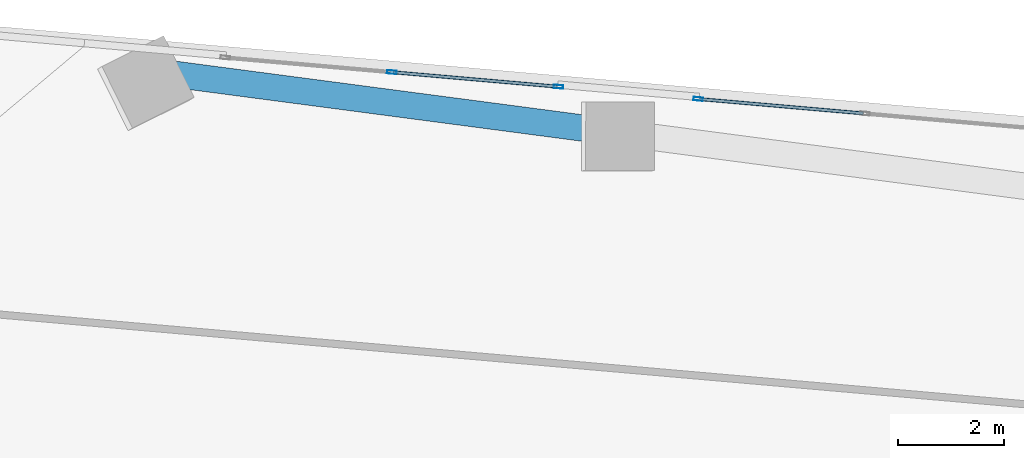
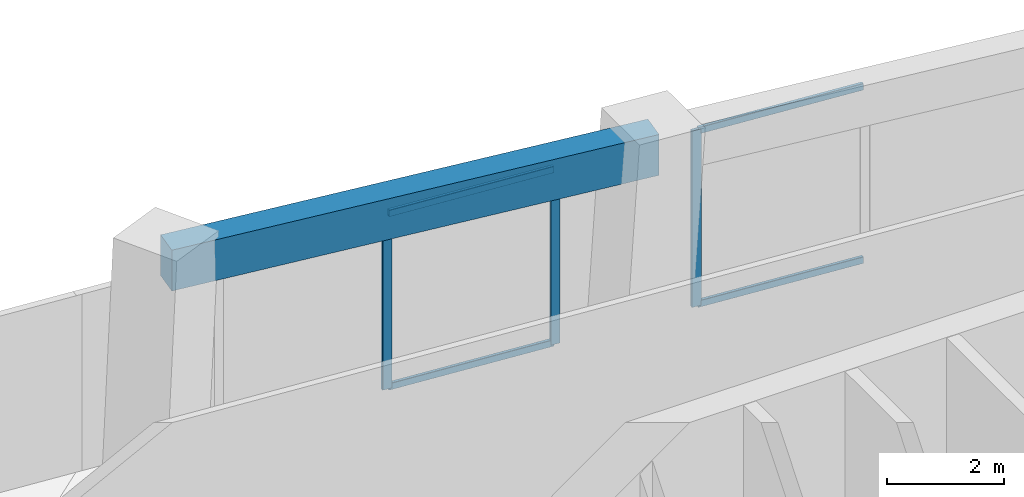
# One storey, part 15 of 23: 7 members, 1 beam, 2 elements without a shape of their own.
"""IFC4 building model written with IfcOpenShell, lengths in metres."""

import ifcopenshell
import ifcopenshell.guid

model = None  # the IFC model being written
_history = None  # IfcOwnerHistory: only IFC2X3 demands one
_inside = {}  # id of a spatial element -> (the spatial element, [elements in it])
_under = {}  # id of a project, library or spatial element -> (it, [spatial elements below it])
_declared = {}  # id of a project -> (the project, [libraries it declares])
_typed = {}  # id of a type object -> (the type object, [elements of that type])
_made_of = {}  # id of a material, layer set ... -> (it, [elements and type objects made of it])


def new_model(schema):
    """Start an empty IFC model of exactly this schema.

    Asked for "IFC4X3", IfcOpenShell would pick the latest addendum, in which some entities
    have other attributes; the version numbers below select the first issue.
    IFC2X3 requires an IfcOwnerHistory on every rooted entity: one is made here for all.
    """
    global model, _history
    if schema == "IFC4X3":
        model = ifcopenshell.file(schema_version=(4, 3, 0, 0))
    else:
        model = ifcopenshell.file(schema=schema)
    _inside.clear()
    _under.clear()
    _declared.clear()
    _typed.clear()
    _made_of.clear()
    _history = None
    if model.schema == "IFC2X3":
        org = make("IfcOrganization", Name="unknown")
        user = make(
            "IfcPersonAndOrganization",
            ThePerson=make("IfcPerson", FamilyName="unknown"),
            TheOrganization=org,
        )
        app = make(
            "IfcApplication",
            ApplicationDeveloper=org,
            Version="unknown",
            ApplicationFullName="unknown",
            ApplicationIdentifier="unknown",
        )
        _history = make(
            "IfcOwnerHistory",
            OwningUser=user,
            OwningApplication=app,
            ChangeAction="ADDED",
            CreationDate=0,
        )
    return model


def make(cls, **values):
    """One entity of the class cls with the attributes given. An attribute that is None is left unset."""
    return model.create_entity(
        cls, **{name: value for name, value in values.items() if value is not None}
    )


def rooted(cls, **values):
    """An entity with a GlobalId (a new one), such as an element, a storey or a relation."""
    return make(cls, GlobalId=ifcopenshell.guid.new(), OwnerHistory=_history, **values)


def si_unit(unit_type, name, prefix=None):
    """IfcSIUnit, for example si_unit("LENGTHUNIT", "METRE", prefix="MILLI")."""
    return make("IfcSIUnit", UnitType=unit_type, Prefix=prefix, Name=name)


def assignment(units):
    """IfcUnitAssignment: the units of a project."""
    return None if units is None else make("IfcUnitAssignment", Units=units)


def point(xyz):
    """IfcCartesianPoint."""
    return None if xyz is None else make("IfcCartesianPoint", Coordinates=xyz)


def direction(xyz):
    """IfcDirection."""
    return None if xyz is None else make("IfcDirection", DirectionRatios=xyz)


def frame(location, z_axis=None, x_axis=None):
    """IfcAxis2Placement3D, a coordinate frame: its origin and axes. An axis left out is left unset."""
    return make(
        "IfcAxis2Placement3D",
        Location=point(location),
        Axis=direction(z_axis),
        RefDirection=direction(x_axis),
    )


def frame_2d(location, x_axis=None):
    """IfcAxis2Placement2D, a coordinate frame in the plane: its origin and x axis."""
    return make(
        "IfcAxis2Placement2D", Location=point(location), RefDirection=direction(x_axis)
    )


def origin():
    """The frame at (0, 0, 0) with its axes left unset."""
    return frame((0.0, 0.0, 0.0))


def origin_2d():
    """The frame at (0, 0) in the plane with its x axis left unset."""
    return frame_2d((0.0, 0.0))


def place(relative_to, where):
    """IfcLocalPlacement: puts the frame where relative to a parent placement (None: the world)."""
    return make(
        "IfcLocalPlacement", PlacementRelTo=relative_to, RelativePlacement=where
    )


def context(
    kind, dimensions, precision=None, world=None, true_north=None, identifier=None
):
    """IfcGeometricRepresentationContext, for example the 3D "Model" context."""
    return make(
        "IfcGeometricRepresentationContext",
        ContextIdentifier=identifier,
        ContextType=kind,
        CoordinateSpaceDimension=dimensions,
        Precision=precision,
        WorldCoordinateSystem=world,
        TrueNorth=true_north,
    )


def subcontext(parent, identifier, kind, view, scale=None):
    """IfcGeometricRepresentationSubContext, for example "Body" below "Model"."""
    return make(
        "IfcGeometricRepresentationSubContext",
        ContextIdentifier=identifier,
        ContextType=kind,
        ParentContext=parent,
        TargetScale=scale,
        TargetView=view,
    )


def project(units=None, contexts=None):
    """IfcProject with its units and contexts."""
    return rooted(
        "IfcProject",
        Name="project",
        RepresentationContexts=contexts,
        UnitsInContext=assignment(units),
    )


def spatial(cls, under=None, at=None, **own):
    """A site, building, storey or space (cls), placed at a placement, below another one or the project."""
    s = rooted(cls, ObjectPlacement=at, **own)
    if under is not None:
        _under.setdefault(under.id(), (under, []))[1].append(s)
    return s


def profile(cls, at=None, kind="AREA", **sizes):
    """A parametric profile (cls). Its sizes go by their IFC names, for example OverallWidth=200.0."""
    return make(cls, ProfileType=kind, Position=at, **sizes)


def rectangle(**sizes):
    """IfcRectangleProfileDef."""
    return profile("IfcRectangleProfileDef", **sizes)


def hollow_rectangle(**sizes):
    """IfcRectangleHollowProfileDef."""
    return profile("IfcRectangleHollowProfileDef", **sizes)


def extrude(swept, where, along, depth):
    """IfcExtrudedAreaSolid: the profile swept, set in the frame where, extruded along a direction by depth."""
    return make(
        "IfcExtrudedAreaSolid",
        SweptArea=swept,
        Position=where,
        ExtrudedDirection=direction(along),
        Depth=depth,
    )


def shape(context_of_items, identifier, shape_type, items):
    """IfcShapeRepresentation: the items that make up one representation, for example the "Body"."""
    return make(
        "IfcShapeRepresentation",
        ContextOfItems=context_of_items,
        RepresentationIdentifier=identifier,
        RepresentationType=shape_type,
        Items=items,
    )


def source(mapping_origin, context_of_items, identifier, shape_type, items):
    """IfcRepresentationMap: a shape defined once, which mapped items show again and again."""
    return make(
        "IfcRepresentationMap",
        MappingOrigin=mapping_origin,
        MappedRepresentation=shape(context_of_items, identifier, shape_type, items),
    )


def transform(
    local_origin,
    x_axis=None,
    y_axis=None,
    z_axis=None,
    scale=None,
    scale2=None,
    scale3=None,
    uniform=True,
):
    """IfcCartesianTransformationOperator3D, or its non-uniform kind. x_axis, y_axis, z_axis: its Axis1, 2, 3."""
    if uniform:
        return make(
            "IfcCartesianTransformationOperator3D",
            Axis1=direction(x_axis),
            Axis2=direction(y_axis),
            LocalOrigin=point(local_origin),
            Scale=scale,
            Axis3=direction(z_axis),
        )
    return make(
        "IfcCartesianTransformationOperator3DnonUniform",
        Axis1=direction(x_axis),
        Axis2=direction(y_axis),
        LocalOrigin=point(local_origin),
        Scale=scale,
        Axis3=direction(z_axis),
        Scale2=scale2,
        Scale3=scale3,
    )


def mapped(mapping_source, mapping_target):
    """IfcMappedItem: shows the shape of a source again, moved by a transform."""
    return make(
        "IfcMappedItem", MappingSource=mapping_source, MappingTarget=mapping_target
    )


def material(Name=None, Category=None):
    """IfcMaterial."""
    return make("IfcMaterial", Name=Name, Category=Category)


def material_profile(
    of_material, cross_section, Name=None, Category=None, Priority=None
):
    """IfcMaterialProfile: a cross section and its material."""
    return make(
        "IfcMaterialProfile",
        Name=Name,
        Material=of_material,
        Profile=cross_section,
        Priority=Priority,
        Category=Category,
    )


def profile_set(profiles, Name=None, composite=None):
    """IfcMaterialProfileSet."""
    return make(
        "IfcMaterialProfileSet",
        Name=Name,
        MaterialProfiles=profiles,
        CompositeProfile=composite,
    )


def made_of(thing, what):
    """Note that an element or type object is made of a material, layer set ...; save() writes the relation."""
    if what is not None:
        _made_of.setdefault(what.id(), (what, []))[1].append(thing)
    return thing


def type_object(cls, material=None, **own):
    """A type object (cls), such as IfcWallType, which elements share."""
    return made_of(rooted(cls, **own), material)


def element(
    cls,
    number,
    at=None,
    inside=None,
    cuts=None,
    type_object=None,
    material=None,
    context=None,
    identifier="Body",
    shape_type=None,
    held_by="IfcProductDefinitionShape",
    body=None,
    shapes=None,
    **own,
):
    """One element of the class cls, such as IfcWall. Its Tag is "e" and its number.

    at: its placement. inside: the storey or other place that contains it. cuts: it is an
    opening in that element (IfcRelVoidsElement). A single representation is given by context,
    identifier, shape_type and body (its items); several are given by shapes. held_by: the class
    of the entity that holds the representations. save() writes the other relations.
    """
    e = rooted(cls, Tag="e%d" % number, ObjectPlacement=at, **own)
    if body is not None:
        shapes = [shape(context, identifier, shape_type, body)]
    if shapes is not None:
        e.Representation = make(held_by, Representations=shapes)
    if inside is not None:
        _inside.setdefault(inside.id(), (inside, []))[1].append(e)
    if cuts is not None:
        rooted(
            "IfcRelVoidsElement", RelatingBuildingElement=cuts, RelatedOpeningElement=e
        )
    if type_object is not None:
        _typed.setdefault(type_object.id(), (type_object, []))[1].append(e)
    return made_of(e, material)


def aggregate(whole, parts):
    """IfcRelAggregates: a whole, such as a stair, and the parts it consists of."""
    return rooted("IfcRelAggregates", RelatingObject=whole, RelatedObjects=parts)


def save(model, path):
    """Write the relations noted so far, then the file.

    IfcRelAggregates (storeys below a building ...), IfcRelContainedInSpatialStructure (elements
    in a storey), IfcRelDefinesByType, IfcRelAssociatesMaterial and IfcRelDeclares: one each for
    every whole, place, type object, material and project.
    """
    for whole, parts in _under.values():
        aggregate(whole, parts)
    for where, things in _inside.values():
        rooted(
            "IfcRelContainedInSpatialStructure",
            RelatedElements=things,
            RelatingStructure=where,
        )
    for kind, things in _typed.values():
        rooted("IfcRelDefinesByType", RelatedObjects=things, RelatingType=kind)
    for what, things in _made_of.values():
        rooted("IfcRelAssociatesMaterial", RelatedObjects=things, RelatingMaterial=what)
    for by, libraries in _declared.values():
        rooted("IfcRelDeclares", RelatingContext=by, RelatedDefinitions=libraries)
    model.write(path)


model = new_model("IFC4")

# Units and contexts
model_context = context("Model", 3, precision=1e-05, world=origin(), true_north=direction((0.0, 1.0)))
body_context = subcontext(model_context, "Body", "Model", "MODEL_VIEW")
ifc_project = project(units=[si_unit("LENGTHUNIT", "METRE"), si_unit("AREAUNIT", "SQUARE_METRE"), si_unit("VOLUMEUNIT", "CUBIC_METRE"), si_unit("PLANEANGLEUNIT", "RADIAN"), si_unit("MASSUNIT", "GRAM", prefix="KILO")], contexts=[model_context])

# Site, building, storey
site_placement = place(None, origin())
site = spatial("IfcSite", under=ifc_project, at=site_placement, CompositionType="ELEMENT")
building_placement = place(site_placement, origin())
building = spatial("IfcBuilding", under=site, at=building_placement, Name="Torre Montelarca", CompositionType="ELEMENT")
storey_placement = place(building_placement, frame((0.0, 0.0, 56.800048828125)))
storey = spatial("IfcBuildingStorey", under=building, at=storey_placement, Name="L12", CompositionType="ELEMENT", Elevation=56.800048828125)

# Beam
ifc_material_1 = material(Name="Concrete C55/67", Category="concrete")
ifc_material_profile_1 = material_profile(ifc_material_1, rectangle(XDim=0.5, YDim=0.85009765625, at=origin_2d()), Name="RCB500X850", Category="concrete")
ifc_profile_set_1 = profile_set([ifc_material_profile_1], Name="Concrete C55/67")
beam_type = type_object("IfcBeamType", Name="BM-SP-RC850-EXT", PredefinedType="SPANDREL", material=ifc_profile_set_1)
shared_shape_1 = source(origin(), body_context, "Body", "SweptSolid", [
    extrude(rectangle(XDim=0.5, YDim=0.85009765625, at=origin_2d()), origin(), (0.0, 0.0, 1.0), 8.999755859375),
])
beam_placement = place(storey_placement, frame((11.08447265625, 48.652099609375, 4.135009765625), z_axis=(0.99144358168, -0.130535912089, 0.0), x_axis=(0.130535912089, 0.99144358168, 0.0)))
element("IfcBeam", 1, at=beam_placement, inside=storey, type_object=beam_type, Name="L12 Grid Girder X 9.0-18.0 at Y=47.1", PredefinedType="SPANDREL", context=body_context, shape_type="MappedRepresentation", body=[
    mapped(shared_shape_1, transform((0.0, 0.0, 0.0), scale=1.0)),
])

# Curtain wall, member
ifc_material_2 = material(Name="Insulated low-E laminated glass", Category="glass")
curtain_wall_type = type_object("IfcCurtainWallType", Name="CW-SYS-Z1", PredefinedType="USERDEFINED", material=ifc_material_2)
curtain_wall_1_placement = place(storey_placement, origin())
curtain_wall_1 = element("IfcCurtainWall", 2, at=curtain_wall_1_placement, inside=storey, type_object=curtain_wall_type, Name="L12 Curtain Wall Run CW-T3-L12-E08-B2", ObjectType="UNITISED GLAZING", PredefinedType="USERDEFINED")
ifc_material_3 = material(Name="Anodised aluminium AA 6063-T6", Category="aluminium")
ifc_material_profile_2 = material_profile(ifc_material_3, hollow_rectangle(XDim=0.06494140625, YDim=0.179931640625, WallThickness=0.00390625, InnerFilletRadius=0.00390625, OuterFilletRadius=0.008056640625, at=origin_2d()), Name="ALU65X180X4", Category="aluminium")
ifc_profile_set_2 = profile_set([ifc_material_profile_2], Name="Anodised aluminium AA 6063-T6")
member_type_1 = type_object("IfcMemberType", Name="CWM-ALU180", PredefinedType="MULLION", material=ifc_profile_set_2)
shared_shape_2 = source(origin(), body_context, "Body", "SweptSolid", [
    extrude(hollow_rectangle(XDim=0.06494140625, YDim=0.179931640625, WallThickness=0.00390625, InnerFilletRadius=0.00390625, OuterFilletRadius=0.008056640625, at=origin_2d()), origin(), (0.0, 0.0, 1.0), 3.675048828125),
])
member_1_placement = place(storey_placement, frame((21.233642578125, 48.15478515625, 0.0), z_axis=(0.0, 0.0, 1.0), x_axis=(-0.087165207204, -0.996193870014, 0.0)))
member_1 = element("IfcMember", 3, at=member_1_placement, type_object=member_type_1, Name="CW mullion 3", PredefinedType="MULLION", context=body_context, shape_type="MappedRepresentation", body=[
    mapped(shared_shape_2, transform((0.0, 0.0, 0.0), scale=1.0)),
])

# Curtain wall, members
curtain_wall_2_placement = place(storey_placement, origin())
curtain_wall_2 = element("IfcCurtainWall", 4, at=curtain_wall_2_placement, inside=storey, type_object=curtain_wall_type, Name="L12 Curtain Wall Run CW-T3-L12-E08-B3", ObjectType="UNITISED GLAZING", PredefinedType="USERDEFINED")
member_2_placement = place(storey_placement, frame((18.5859375, 48.38623046875, 0.0), z_axis=(0.0, 0.0, 1.0), x_axis=(-0.087160358615, -0.996194294245, 0.0)))
member_2 = element("IfcMember", 5, at=member_2_placement, type_object=member_type_1, Name="CW mullion 1", PredefinedType="MULLION", context=body_context, shape_type="MappedRepresentation", body=[
    mapped(shared_shape_2, transform((0.0, 0.0, 0.0), scale=1.0)),
])
member_3_placement = place(storey_placement, frame((15.43115234375, 48.662353515625, 0.0), z_axis=(0.0, 0.0, 1.0), x_axis=(-0.087160358615, -0.996194294245, 0.0)))
member_3 = element("IfcMember", 6, at=member_3_placement, type_object=member_type_1, Name="CW mullion 2", PredefinedType="MULLION", context=body_context, shape_type="MappedRepresentation", body=[
    mapped(shared_shape_2, transform((0.0, 0.0, 0.0), scale=1.0)),
])

# Member
ifc_material_profile_3 = material_profile(ifc_material_3, hollow_rectangle(XDim=0.06494140625, YDim=0.139892578125, WallThickness=0.00390625, InnerFilletRadius=0.00390625, OuterFilletRadius=0.008056640625, at=origin_2d()), Name="ALU65X140X4", Category="aluminium")
ifc_profile_set_3 = profile_set([ifc_material_profile_3], Name="Anodised aluminium AA 6063-T6")
member_type_2 = type_object("IfcMemberType", Name="CWT-ALU140", PredefinedType="USERDEFINED", material=ifc_profile_set_3)
shared_shape_3 = source(origin(), body_context, "Body", "SweptSolid", [
    extrude(hollow_rectangle(XDim=0.06494140625, YDim=0.139892578125, WallThickness=0.00390625, InnerFilletRadius=0.00390625, OuterFilletRadius=0.008056640625, at=origin_2d()), origin(), (0.0, 0.0, 1.0), 3.10498046875),
])
member_4_placement = place(storey_placement, frame((24.359130859375, 47.88134765625, 0.032470703125), z_axis=(-0.996197983519, 0.087118181984, 0.0), x_axis=(-0.087118181984, -0.996197983519, 0.0)))
member_4 = element("IfcMember", 7, at=member_4_placement, type_object=member_type_2, Name="CW transom 2.1", ObjectType="TRANSOM", PredefinedType="USERDEFINED", context=body_context, shape_type="MappedRepresentation", body=[
    mapped(shared_shape_3, transform((0.0, 0.0, 0.0), scale=1.0)),
])

member_5_placement = place(storey_placement, frame((24.359130859375, 47.88134765625, 3.642333984375), z_axis=(-0.996197983519, 0.087118181984, 0.0), x_axis=(-0.087118181984, -0.996197983519, 0.0)))
member_5 = element("IfcMember", 8, at=member_5_placement, type_object=member_type_2, Name="CW transom 2.2", ObjectType="TRANSOM", PredefinedType="USERDEFINED", context=body_context, shape_type="MappedRepresentation", body=[
    mapped(shared_shape_3, transform((0.0, 0.0, 0.0), scale=1.0)),
])

aggregate(curtain_wall_1, [member_1, member_4, member_5])

shared_shape_4 = source(origin(), body_context, "Body", "SweptSolid", [
    extrude(hollow_rectangle(XDim=0.06494140625, YDim=0.139892578125, WallThickness=0.00390625, InnerFilletRadius=0.00390625, OuterFilletRadius=0.008056640625, at=origin_2d()), origin(), (0.0, 0.0, 1.0), 3.101806640625),
])
member_6_placement = place(storey_placement, frame((18.553466796875, 48.38916015625, 0.032470703125), z_axis=(-0.996197048613, 0.087128871993, 0.0), x_axis=(-0.087128871993, -0.996197048613, 0.0)))
member_6 = element("IfcMember", 9, at=member_6_placement, type_object=member_type_2, Name="CW transom 1.1", ObjectType="TRANSOM", PredefinedType="USERDEFINED", context=body_context, shape_type="MappedRepresentation", body=[
    mapped(shared_shape_4, transform((0.0, 0.0, 0.0), scale=1.0)),
])

member_7_placement = place(storey_placement, frame((18.553466796875, 48.38916015625, 3.642333984375), z_axis=(-0.996197048613, 0.087128871993, 0.0), x_axis=(-0.087128871993, -0.996197048613, 0.0)))
member_7 = element("IfcMember", 10, at=member_7_placement, type_object=member_type_2, Name="CW transom 1.2", ObjectType="TRANSOM", PredefinedType="USERDEFINED", context=body_context, shape_type="MappedRepresentation", body=[
    mapped(shared_shape_4, transform((0.0, 0.0, 0.0), scale=1.0)),
])

aggregate(curtain_wall_2, [member_2, member_3, member_6, member_7])

save(model, "model.ifc")
